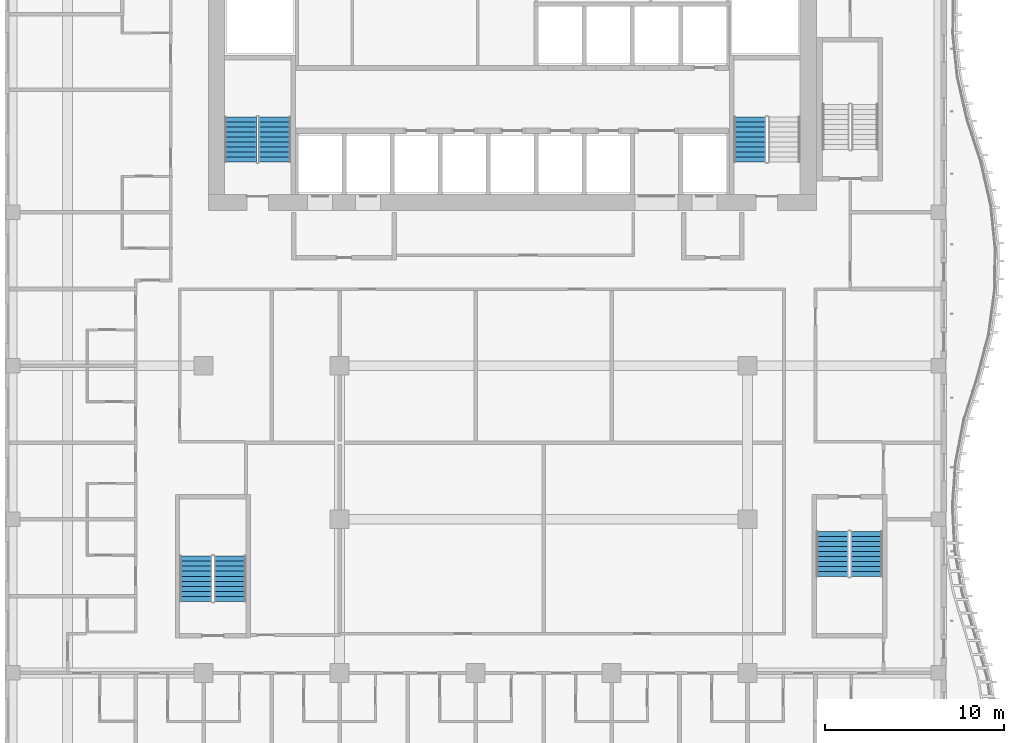
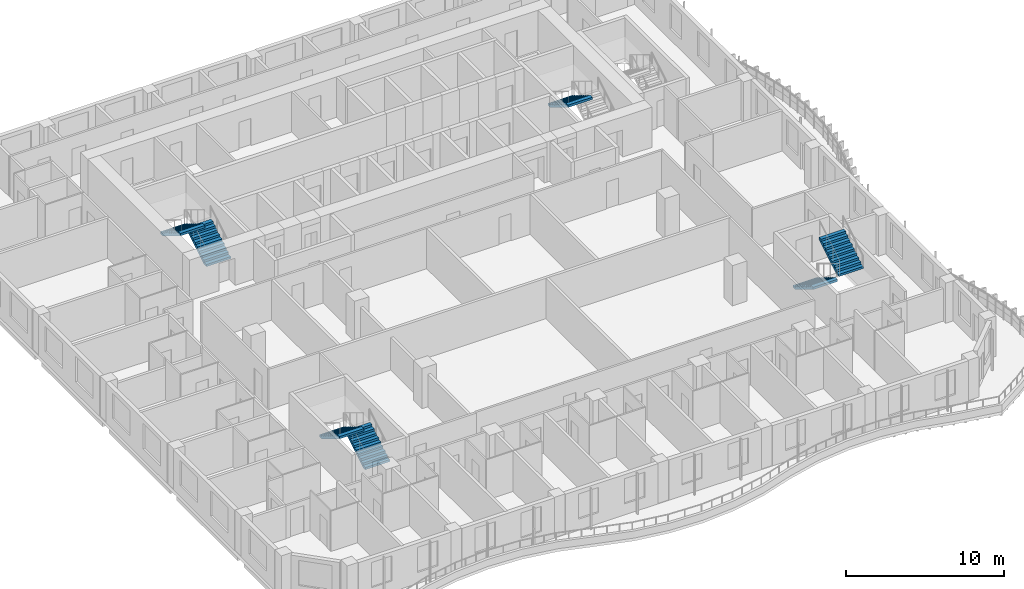
# One storey, part 12 of 24: 7 stair flights, 4 elements without a shape of their own.
"""IFC4 building model written with IfcOpenShell, lengths in metres."""

from ifc_helpers import new_model, si_unit, direction, frame, origin, place, context, subcontext, project, spatial, triangles, source, transform, mapped, material, type_object, element, aggregate, save


model = new_model("IFC4")

# Units and contexts
model_context = context("Model", 3, precision=1e-05, world=origin(), true_north=direction((0.0, 1.0)))
body_context = subcontext(model_context, "Body", "Model", "MODEL_VIEW")
ifc_project = project(units=[si_unit("LENGTHUNIT", "METRE"), si_unit("AREAUNIT", "SQUARE_METRE"), si_unit("VOLUMEUNIT", "CUBIC_METRE"), si_unit("PLANEANGLEUNIT", "RADIAN"), si_unit("MASSUNIT", "GRAM", prefix="KILO")], contexts=[model_context])

# Site, building, storey
site_placement = place(None, origin())
site = spatial("IfcSite", under=ifc_project, at=site_placement, CompositionType="ELEMENT")
building_placement = place(site_placement, origin())
building = spatial("IfcBuilding", under=site, at=building_placement, Name="Kilnfold Tower and Market Hall", CompositionType="ELEMENT")
storey_placement = place(building_placement, frame((0.0, 0.0, 175.300048828125)))
storey = spatial("IfcBuildingStorey", under=building, at=storey_placement, Name="L41", CompositionType="ELEMENT", Elevation=175.300048828125)

# Stair, stair flights
ifc_material_1 = material(Name="Concrete C40/50", Category="concrete")
stair_type = type_object("IfcStairType", Name="CORE STAIR 1800", PredefinedType="HALF_TURN_STAIR", material=ifc_material_1)
stair_1_placement = place(storey_placement, origin())
stair_1 = element("IfcStair", 1, at=stair_1_placement, inside=storey, type_object=stair_type, Name="L41 ST1", PredefinedType="HALF_TURN_STAIR")
ifc_material_2 = material(Name="Concrete C40/50", Category="concrete")
stair_flight_type = type_object("IfcStairFlightType", Name="CORE STAIR FLIGHT 1800", PredefinedType="STRAIGHT", material=ifc_material_2)
shared_shape = source(origin(), body_context, "Body", "Tessellation", [
    triangles([(0.0, 0.89990234375, 0.0), (0.0, 0.78759765625, 0.0), (0.0, 0.675048828125, 0.0), (0.0, 0.5625, 0.0), (0.0, 0.449951171875, 0.0), (0.0, 0.33740234375, 0.0), (0.0, 0.22509765625, 0.0), (0.0, 0.112548828125, 0.0), (0.0, 0.0, 0.0), (0.0, -0.112548828125, 0.0), (0.0, -0.22509765625, 0.0), (0.0, -0.33740234375, 0.0), (0.0, -0.449951171875, 0.0), (0.0, -0.5625, 0.0), (0.0, -0.675048828125, 0.0), (0.0, -0.78759765625, 0.0), (0.0, -0.89990234375, 0.0), (0.0, 0.89990234375, 0.169921875), (0.0, 0.78759765625, 0.169921875), (0.0, 0.675048828125, 0.169921875), (0.0, 0.5625, 0.169921875), (0.0, 0.449951171875, 0.169921875), (0.0, 0.33740234375, 0.169921875), (0.0, 0.22509765625, 0.169921875), (0.0, 0.112548828125, 0.169921875), (0.0, 0.0, 0.169921875), (0.0, -0.112548828125, 0.169921875), (0.0, -0.22509765625, 0.169921875), (0.0, -0.33740234375, 0.169921875), (0.0, -0.449951171875, 0.169921875), (0.0, -0.5625, 0.169921875), (0.0, -0.675048828125, 0.169921875), (0.0, -0.78759765625, 0.169921875), (0.0, -0.89990234375, 0.169921875), (0.280029296875, 0.89990234375, 0.169921875), (0.280029296875, 0.78759765625, 0.169921875), (0.280029296875, 0.675048828125, 0.169921875), (0.280029296875, 0.5625, 0.169921875), (0.280029296875, 0.449951171875, 0.169921875), (0.280029296875, 0.33740234375, 0.169921875), (0.280029296875, 0.22509765625, 0.169921875), (0.280029296875, 0.112548828125, 0.169921875), (0.280029296875, 0.0, 0.169921875), (0.280029296875, -0.112548828125, 0.169921875), (0.280029296875, -0.22509765625, 0.169921875), (0.280029296875, -0.33740234375, 0.169921875), (0.280029296875, -0.449951171875, 0.169921875), (0.280029296875, -0.5625, 0.169921875), (0.280029296875, -0.675048828125, 0.169921875), (0.280029296875, -0.78759765625, 0.169921875), (0.280029296875, -0.89990234375, 0.169921875), (0.280029296875, 0.89990234375, 0.340087890625), (0.280029296875, 0.78759765625, 0.340087890625), (0.280029296875, 0.675048828125, 0.340087890625), (0.280029296875, 0.5625, 0.340087890625), (0.280029296875, 0.449951171875, 0.340087890625), (0.280029296875, 0.33740234375, 0.340087890625), (0.280029296875, 0.22509765625, 0.340087890625), (0.280029296875, 0.112548828125, 0.340087890625), (0.280029296875, 0.0, 0.340087890625), (0.280029296875, -0.112548828125, 0.340087890625), (0.280029296875, -0.22509765625, 0.340087890625), (0.280029296875, -0.33740234375, 0.340087890625), (0.280029296875, -0.449951171875, 0.340087890625), (0.280029296875, -0.5625, 0.340087890625), (0.280029296875, -0.675048828125, 0.340087890625), (0.280029296875, -0.78759765625, 0.340087890625), (0.280029296875, -0.89990234375, 0.340087890625), (0.56005859375, 0.89990234375, 0.340087890625), (0.56005859375, 0.78759765625, 0.340087890625), (0.56005859375, 0.675048828125, 0.340087890625), (0.56005859375, 0.5625, 0.340087890625), (0.56005859375, 0.449951171875, 0.340087890625), (0.56005859375, 0.33740234375, 0.340087890625), (0.56005859375, 0.22509765625, 0.340087890625), (0.56005859375, 0.112548828125, 0.340087890625), (0.56005859375, 0.0, 0.340087890625), (0.56005859375, -0.112548828125, 0.340087890625), (0.56005859375, -0.22509765625, 0.340087890625), (0.56005859375, -0.33740234375, 0.340087890625), (0.56005859375, -0.449951171875, 0.340087890625), (0.56005859375, -0.5625, 0.340087890625), (0.56005859375, -0.675048828125, 0.340087890625), (0.56005859375, -0.78759765625, 0.340087890625), (0.56005859375, -0.89990234375, 0.340087890625), (0.56005859375, 0.89990234375, 0.510009765625), (0.56005859375, 0.78759765625, 0.510009765625), (0.56005859375, 0.675048828125, 0.510009765625), (0.56005859375, 0.5625, 0.510009765625), (0.56005859375, 0.449951171875, 0.510009765625), (0.56005859375, 0.33740234375, 0.510009765625), (0.56005859375, 0.22509765625, 0.510009765625), (0.56005859375, 0.112548828125, 0.510009765625), (0.56005859375, 0.0, 0.510009765625), (0.56005859375, -0.112548828125, 0.510009765625), (0.56005859375, -0.22509765625, 0.510009765625), (0.56005859375, -0.33740234375, 0.510009765625), (0.56005859375, -0.449951171875, 0.510009765625), (0.56005859375, -0.5625, 0.510009765625), (0.56005859375, -0.675048828125, 0.510009765625), (0.56005859375, -0.78759765625, 0.510009765625), (0.56005859375, -0.89990234375, 0.510009765625), (0.840087890625, 0.89990234375, 0.510009765625), (0.840087890625, 0.78759765625, 0.510009765625), (0.840087890625, 0.675048828125, 0.510009765625), (0.840087890625, 0.5625, 0.510009765625), (0.840087890625, 0.449951171875, 0.510009765625), (0.840087890625, 0.33740234375, 0.510009765625), (0.840087890625, 0.22509765625, 0.510009765625), (0.840087890625, 0.112548828125, 0.510009765625), (0.840087890625, 0.0, 0.510009765625), (0.840087890625, -0.112548828125, 0.510009765625), (0.840087890625, -0.22509765625, 0.510009765625), (0.840087890625, -0.33740234375, 0.510009765625), (0.840087890625, -0.449951171875, 0.510009765625), (0.840087890625, -0.5625, 0.510009765625), (0.840087890625, -0.675048828125, 0.510009765625), (0.840087890625, -0.78759765625, 0.510009765625), (0.840087890625, -0.89990234375, 0.510009765625), (0.840087890625, 0.89990234375, 0.679931640625), (0.840087890625, 0.78759765625, 0.679931640625), (0.840087890625, 0.675048828125, 0.679931640625), (0.840087890625, 0.5625, 0.679931640625), (0.840087890625, 0.449951171875, 0.679931640625), (0.840087890625, 0.33740234375, 0.679931640625), (0.840087890625, 0.22509765625, 0.679931640625), (0.840087890625, 0.112548828125, 0.679931640625), (0.840087890625, 0.0, 0.679931640625), (0.840087890625, -0.112548828125, 0.679931640625), (0.840087890625, -0.22509765625, 0.679931640625), (0.840087890625, -0.33740234375, 0.679931640625), (0.840087890625, -0.449951171875, 0.679931640625), (0.840087890625, -0.5625, 0.679931640625), (0.840087890625, -0.675048828125, 0.679931640625), (0.840087890625, -0.78759765625, 0.679931640625), (0.840087890625, -0.89990234375, 0.679931640625), (1.1201171875, 0.89990234375, 0.679931640625), (1.1201171875, 0.78759765625, 0.679931640625), (1.1201171875, 0.675048828125, 0.679931640625), (1.1201171875, 0.5625, 0.679931640625), (1.1201171875, 0.449951171875, 0.679931640625), (1.1201171875, 0.33740234375, 0.679931640625), (1.1201171875, 0.22509765625, 0.679931640625), (1.1201171875, 0.112548828125, 0.679931640625), (1.1201171875, 0.0, 0.679931640625), (1.1201171875, -0.112548828125, 0.679931640625), (1.1201171875, -0.22509765625, 0.679931640625), (1.1201171875, -0.33740234375, 0.679931640625), (1.1201171875, -0.449951171875, 0.679931640625), (1.1201171875, -0.5625, 0.679931640625), (1.1201171875, -0.675048828125, 0.679931640625), (1.1201171875, -0.78759765625, 0.679931640625), (1.1201171875, -0.89990234375, 0.679931640625), (1.1201171875, 0.89990234375, 0.85009765625), (1.1201171875, 0.78759765625, 0.85009765625), (1.1201171875, 0.675048828125, 0.85009765625), (1.1201171875, 0.5625, 0.85009765625), (1.1201171875, 0.449951171875, 0.85009765625), (1.1201171875, 0.33740234375, 0.85009765625), (1.1201171875, 0.22509765625, 0.85009765625), (1.1201171875, 0.112548828125, 0.85009765625), (1.1201171875, 0.0, 0.85009765625), (1.1201171875, -0.112548828125, 0.85009765625), (1.1201171875, -0.22509765625, 0.85009765625), (1.1201171875, -0.33740234375, 0.85009765625), (1.1201171875, -0.449951171875, 0.85009765625), (1.1201171875, -0.5625, 0.85009765625), (1.1201171875, -0.675048828125, 0.85009765625), (1.1201171875, -0.78759765625, 0.85009765625), (1.1201171875, -0.89990234375, 0.85009765625), (1.39990234375, 0.89990234375, 0.85009765625), (1.39990234375, 0.78759765625, 0.85009765625), (1.39990234375, 0.675048828125, 0.85009765625), (1.39990234375, 0.5625, 0.85009765625), (1.39990234375, 0.449951171875, 0.85009765625), (1.39990234375, 0.33740234375, 0.85009765625), (1.39990234375, 0.22509765625, 0.85009765625), (1.39990234375, 0.112548828125, 0.85009765625), (1.39990234375, 0.0, 0.85009765625), (1.39990234375, -0.112548828125, 0.85009765625), (1.39990234375, -0.22509765625, 0.85009765625), (1.39990234375, -0.33740234375, 0.85009765625), (1.39990234375, -0.449951171875, 0.85009765625), (1.39990234375, -0.5625, 0.85009765625), (1.39990234375, -0.675048828125, 0.85009765625), (1.39990234375, -0.78759765625, 0.85009765625), (1.39990234375, -0.89990234375, 0.85009765625), (1.39990234375, 0.89990234375, 1.02001953125), (1.39990234375, 0.78759765625, 1.02001953125), (1.39990234375, 0.675048828125, 1.02001953125), (1.39990234375, 0.5625, 1.02001953125), (1.39990234375, 0.449951171875, 1.02001953125), (1.39990234375, 0.33740234375, 1.02001953125), (1.39990234375, 0.22509765625, 1.02001953125), (1.39990234375, 0.112548828125, 1.02001953125), (1.39990234375, 0.0, 1.02001953125), (1.39990234375, -0.112548828125, 1.02001953125), (1.39990234375, -0.22509765625, 1.02001953125), (1.39990234375, -0.33740234375, 1.02001953125), (1.39990234375, -0.449951171875, 1.02001953125), (1.39990234375, -0.5625, 1.02001953125), (1.39990234375, -0.675048828125, 1.02001953125), (1.39990234375, -0.78759765625, 1.02001953125), (1.39990234375, -0.89990234375, 1.02001953125), (1.679931640625, 0.89990234375, 1.02001953125), (1.679931640625, 0.78759765625, 1.02001953125), (1.679931640625, 0.675048828125, 1.02001953125), (1.679931640625, 0.5625, 1.02001953125), (1.679931640625, 0.449951171875, 1.02001953125), (1.679931640625, 0.33740234375, 1.02001953125), (1.679931640625, 0.22509765625, 1.02001953125), (1.679931640625, 0.112548828125, 1.02001953125), (1.679931640625, 0.0, 1.02001953125), (1.679931640625, -0.112548828125, 1.02001953125), (1.679931640625, -0.22509765625, 1.02001953125), (1.679931640625, -0.33740234375, 1.02001953125), (1.679931640625, -0.449951171875, 1.02001953125), (1.679931640625, -0.5625, 1.02001953125), (1.679931640625, -0.675048828125, 1.02001953125), (1.679931640625, -0.78759765625, 1.02001953125), (1.679931640625, -0.89990234375, 1.02001953125), (1.679931640625, 0.89990234375, 1.18994140625), (1.679931640625, 0.78759765625, 1.18994140625), (1.679931640625, 0.675048828125, 1.18994140625), (1.679931640625, 0.5625, 1.18994140625), (1.679931640625, 0.449951171875, 1.18994140625), (1.679931640625, 0.33740234375, 1.18994140625), (1.679931640625, 0.22509765625, 1.18994140625), (1.679931640625, 0.112548828125, 1.18994140625), (1.679931640625, 0.0, 1.18994140625), (1.679931640625, -0.112548828125, 1.18994140625), (1.679931640625, -0.22509765625, 1.18994140625), (1.679931640625, -0.33740234375, 1.18994140625), (1.679931640625, -0.449951171875, 1.18994140625), (1.679931640625, -0.5625, 1.18994140625), (1.679931640625, -0.675048828125, 1.18994140625), (1.679931640625, -0.78759765625, 1.18994140625), (1.679931640625, -0.89990234375, 1.18994140625), (1.9599609375, 0.89990234375, 1.18994140625), (1.9599609375, 0.78759765625, 1.18994140625), (1.9599609375, 0.675048828125, 1.18994140625), (1.9599609375, 0.5625, 1.18994140625), (1.9599609375, 0.449951171875, 1.18994140625), (1.9599609375, 0.33740234375, 1.18994140625), (1.9599609375, 0.22509765625, 1.18994140625), (1.9599609375, 0.112548828125, 1.18994140625), (1.9599609375, 0.0, 1.18994140625), (1.9599609375, -0.112548828125, 1.18994140625), (1.9599609375, -0.22509765625, 1.18994140625), (1.9599609375, -0.33740234375, 1.18994140625), (1.9599609375, -0.449951171875, 1.18994140625), (1.9599609375, -0.5625, 1.18994140625), (1.9599609375, -0.675048828125, 1.18994140625), (1.9599609375, -0.78759765625, 1.18994140625), (1.9599609375, -0.89990234375, 1.18994140625), (1.9599609375, 0.89990234375, 1.360107421875), (1.9599609375, 0.78759765625, 1.360107421875), (1.9599609375, 0.675048828125, 1.360107421875), (1.9599609375, 0.5625, 1.360107421875), (1.9599609375, 0.449951171875, 1.360107421875), (1.9599609375, 0.33740234375, 1.360107421875), (1.9599609375, 0.22509765625, 1.360107421875), (1.9599609375, 0.112548828125, 1.360107421875), (1.9599609375, 0.0, 1.360107421875), (1.9599609375, -0.112548828125, 1.360107421875), (1.9599609375, -0.22509765625, 1.360107421875), (1.9599609375, -0.33740234375, 1.360107421875), (1.9599609375, -0.449951171875, 1.360107421875), (1.9599609375, -0.5625, 1.360107421875), (1.9599609375, -0.675048828125, 1.360107421875), (1.9599609375, -0.78759765625, 1.360107421875), (1.9599609375, -0.89990234375, 1.360107421875), (2.239990234375, 0.89990234375, 1.360107421875), (2.239990234375, 0.78759765625, 1.360107421875), (2.239990234375, 0.675048828125, 1.360107421875), (2.239990234375, 0.5625, 1.360107421875), (2.239990234375, 0.449951171875, 1.360107421875), (2.239990234375, 0.33740234375, 1.360107421875), (2.239990234375, 0.22509765625, 1.360107421875), (2.239990234375, 0.112548828125, 1.360107421875), (2.239990234375, 0.0, 1.360107421875), (2.239990234375, -0.112548828125, 1.360107421875), (2.239990234375, -0.22509765625, 1.360107421875), (2.239990234375, -0.33740234375, 1.360107421875), (2.239990234375, -0.449951171875, 1.360107421875), (2.239990234375, -0.5625, 1.360107421875), (2.239990234375, -0.675048828125, 1.360107421875), (2.239990234375, -0.78759765625, 1.360107421875), (2.239990234375, -0.89990234375, 1.360107421875), (2.239990234375, 0.89990234375, 1.530029296875), (2.239990234375, 0.78759765625, 1.530029296875), (2.239990234375, 0.675048828125, 1.530029296875), (2.239990234375, 0.5625, 1.530029296875), (2.239990234375, 0.449951171875, 1.530029296875), (2.239990234375, 0.33740234375, 1.530029296875), (2.239990234375, 0.22509765625, 1.530029296875), (2.239990234375, 0.112548828125, 1.530029296875), (2.239990234375, 0.0, 1.530029296875), (2.239990234375, -0.112548828125, 1.530029296875), (2.239990234375, -0.22509765625, 1.530029296875), (2.239990234375, -0.33740234375, 1.530029296875), (2.239990234375, -0.449951171875, 1.530029296875), (2.239990234375, -0.5625, 1.530029296875), (2.239990234375, -0.675048828125, 1.530029296875), (2.239990234375, -0.78759765625, 1.530029296875), (2.239990234375, -0.89990234375, 1.530029296875), (2.52001953125, 0.89990234375, 1.530029296875), (2.52001953125, 0.78759765625, 1.530029296875), (2.52001953125, 0.675048828125, 1.530029296875), (2.52001953125, 0.5625, 1.530029296875), (2.52001953125, 0.449951171875, 1.530029296875), (2.52001953125, 0.33740234375, 1.530029296875), (2.52001953125, 0.22509765625, 1.530029296875), (2.52001953125, 0.112548828125, 1.530029296875), (2.52001953125, 0.0, 1.530029296875), (2.52001953125, -0.112548828125, 1.530029296875), (2.52001953125, -0.22509765625, 1.530029296875), (2.52001953125, -0.33740234375, 1.530029296875), (2.52001953125, -0.449951171875, 1.530029296875), (2.52001953125, -0.5625, 1.530029296875), (2.52001953125, -0.675048828125, 1.530029296875), (2.52001953125, -0.78759765625, 1.530029296875), (2.52001953125, -0.89990234375, 1.530029296875), (2.52001953125, 0.89990234375, 1.354736328125), (2.52001953125, 0.78759765625, 1.354736328125), (2.52001953125, 0.675048828125, 1.354736328125), (2.52001953125, 0.5625, 1.354736328125), (2.52001953125, 0.449951171875, 1.354736328125), (2.52001953125, 0.33740234375, 1.354736328125), (2.52001953125, 0.22509765625, 1.354736328125), (2.52001953125, 0.112548828125, 1.354736328125), (2.52001953125, 0.0, 1.354736328125), (2.52001953125, -0.112548828125, 1.354736328125), (2.52001953125, -0.22509765625, 1.354736328125), (2.52001953125, -0.33740234375, 1.354736328125), (2.52001953125, -0.449951171875, 1.354736328125), (2.52001953125, -0.5625, 1.354736328125), (2.52001953125, -0.675048828125, 1.354736328125), (2.52001953125, -0.78759765625, 1.354736328125), (2.52001953125, -0.89990234375, 1.354736328125), (0.288818359375, 0.89990234375, 0.0), (0.288818359375, 0.78759765625, 0.0), (0.288818359375, 0.675048828125, 0.0), (0.288818359375, 0.5625, 0.0), (0.288818359375, 0.449951171875, 0.0), (0.288818359375, 0.33740234375, 0.0), (0.288818359375, 0.22509765625, 0.0), (0.288818359375, 0.112548828125, 0.0), (0.288818359375, 0.0, 0.0), (0.288818359375, -0.112548828125, 0.0), (0.288818359375, -0.22509765625, 0.0), (0.288818359375, -0.33740234375, 0.0), (0.288818359375, -0.449951171875, 0.0), (0.288818359375, -0.5625, 0.0), (0.288818359375, -0.675048828125, 0.0), (0.288818359375, -0.78759765625, 0.0), (0.288818359375, -0.89990234375, 0.0)], [[1, 324, 341], [17, 357, 340], [324, 290, 307], [340, 323, 306], [324, 273, 290], [340, 306, 289], [324, 256, 273], [340, 289, 272], [324, 239, 256], [340, 272, 255], [239, 205, 222], [255, 238, 221], [324, 205, 239], [340, 255, 221], [205, 171, 188], [221, 204, 187], [324, 171, 205], [340, 221, 187], [171, 137, 154], [187, 170, 153], [324, 137, 171], [340, 187, 153], [137, 103, 120], [153, 136, 119], [324, 103, 137], [340, 153, 119], [103, 69, 86], [119, 102, 85], [324, 69, 103], [340, 119, 85], [69, 35, 52], [85, 68, 51], [324, 35, 69], [340, 85, 51], [1, 35, 324], [17, 340, 51], [35, 1, 18], [51, 34, 17], [1, 19, 18], [1, 2, 19], [2, 20, 19], [2, 3, 20], [3, 21, 20], [3, 4, 21], [4, 22, 21], [4, 5, 22], [5, 23, 22], [5, 6, 23], [6, 24, 23], [6, 7, 24], [7, 25, 24], [7, 8, 25], [8, 26, 25], [8, 9, 26], [9, 27, 26], [9, 10, 27], [10, 28, 27], [10, 11, 28], [11, 29, 28], [11, 12, 29], [12, 30, 29], [12, 13, 30], [13, 31, 30], [13, 14, 31], [14, 32, 31], [14, 15, 32], [15, 33, 32], [15, 16, 33], [16, 34, 33], [16, 17, 34], [18, 36, 35], [18, 19, 36], [19, 37, 36], [19, 20, 37], [20, 38, 37], [20, 21, 38], [21, 39, 38], [21, 22, 39], [22, 40, 39], [22, 23, 40], [23, 41, 40], [23, 24, 41], [24, 42, 41], [24, 25, 42], [25, 43, 42], [25, 26, 43], [26, 44, 43], [26, 27, 44], [27, 45, 44], [27, 28, 45], [28, 46, 45], [28, 29, 46], [29, 47, 46], [29, 30, 47], [30, 48, 47], [30, 31, 48], [31, 49, 48], [31, 32, 49], [32, 50, 49], [32, 33, 50], [33, 51, 50], [33, 34, 51], [35, 53, 52], [35, 36, 53], [36, 54, 53], [36, 37, 54], [37, 55, 54], [37, 38, 55], [38, 56, 55], [38, 39, 56], [39, 57, 56], [39, 40, 57], [40, 58, 57], [40, 41, 58], [41, 59, 58], [41, 42, 59], [42, 60, 59], [42, 43, 60], [43, 61, 60], [43, 44, 61], [44, 62, 61], [44, 45, 62], [45, 63, 62], [45, 46, 63], [46, 64, 63], [46, 47, 64], [47, 65, 64], [47, 48, 65], [48, 66, 65], [48, 49, 66], [49, 67, 66], [49, 50, 67], [50, 68, 67], [50, 51, 68], [52, 70, 69], [52, 53, 70], [53, 71, 70], [53, 54, 71], [54, 72, 71], [54, 55, 72], [55, 73, 72], [55, 56, 73], [56, 74, 73], [56, 57, 74], [57, 75, 74], [57, 58, 75], [58, 76, 75], [58, 59, 76], [59, 77, 76], [59, 60, 77], [60, 78, 77], [60, 61, 78], [61, 79, 78], [61, 62, 79], [62, 80, 79], [62, 63, 80], [63, 81, 80], [63, 64, 81], [64, 82, 81], [64, 65, 82], [65, 83, 82], [65, 66, 83], [66, 84, 83], [66, 67, 84], [67, 85, 84], [67, 68, 85], [69, 87, 86], [69, 70, 87], [70, 88, 87], [70, 71, 88], [71, 89, 88], [71, 72, 89], [72, 90, 89], [72, 73, 90], [73, 91, 90], [73, 74, 91], [74, 92, 91], [74, 75, 92], [75, 93, 92], [75, 76, 93], [76, 94, 93], [76, 77, 94], [77, 95, 94], [77, 78, 95], [78, 96, 95], [78, 79, 96], [79, 97, 96], [79, 80, 97], [80, 98, 97], [80, 81, 98], [81, 99, 98], [81, 82, 99], [82, 100, 99], [82, 83, 100], [83, 101, 100], [83, 84, 101], [84, 102, 101], [84, 85, 102], [86, 104, 103], [86, 87, 104], [87, 105, 104], [87, 88, 105], [88, 106, 105], [88, 89, 106], [89, 107, 106], [89, 90, 107], [90, 108, 107], [90, 91, 108], [91, 109, 108], [91, 92, 109], [92, 110, 109], [92, 93, 110], [93, 111, 110], [93, 94, 111], [94, 112, 111], [94, 95, 112], [95, 113, 112], [95, 96, 113], [96, 114, 113], [96, 97, 114], [97, 115, 114], [97, 98, 115], [98, 116, 115], [98, 99, 116], [99, 117, 116], [99, 100, 117], [100, 118, 117], [100, 101, 118], [101, 119, 118], [101, 102, 119], [103, 121, 120], [103, 104, 121], [104, 122, 121], [104, 105, 122], [105, 123, 122], [105, 106, 123], [106, 124, 123], [106, 107, 124], [107, 125, 124], [107, 108, 125], [108, 126, 125], [108, 109, 126], [109, 127, 126], [109, 110, 127], [110, 128, 127], [110, 111, 128], [111, 129, 128], [111, 112, 129], [112, 130, 129], [112, 113, 130], [113, 131, 130], [113, 114, 131], [114, 132, 131], [114, 115, 132], [115, 133, 132], [115, 116, 133], [116, 134, 133], [116, 117, 134], [117, 135, 134], [117, 118, 135], [118, 136, 135], [118, 119, 136], [120, 138, 137], [120, 121, 138], [121, 139, 138], [121, 122, 139], [122, 140, 139], [122, 123, 140], [123, 141, 140], [123, 124, 141], [124, 142, 141], [124, 125, 142], [125, 143, 142], [125, 126, 143], [126, 144, 143], [126, 127, 144], [127, 145, 144], [127, 128, 145], [128, 146, 145], [128, 129, 146], [129, 147, 146], [129, 130, 147], [130, 148, 147], [130, 131, 148], [131, 149, 148], [131, 132, 149], [132, 150, 149], [132, 133, 150], [133, 151, 150], [133, 134, 151], [134, 152, 151], [134, 135, 152], [135, 153, 152], [135, 136, 153], [137, 155, 154], [137, 138, 155], [138, 156, 155], [138, 139, 156], [139, 157, 156], [139, 140, 157], [140, 158, 157], [140, 141, 158], [141, 159, 158], [141, 142, 159], [142, 160, 159], [142, 143, 160], [143, 161, 160], [143, 144, 161], [144, 162, 161], [144, 145, 162], [145, 163, 162], [145, 146, 163], [146, 164, 163], [146, 147, 164], [147, 165, 164], [147, 148, 165], [148, 166, 165], [148, 149, 166], [149, 167, 166], [149, 150, 167], [150, 168, 167], [150, 151, 168], [151, 169, 168], [151, 152, 169], [152, 170, 169], [152, 153, 170], [154, 172, 171], [154, 155, 172], [155, 173, 172], [155, 156, 173], [156, 174, 173], [156, 157, 174], [157, 175, 174], [157, 158, 175], [158, 176, 175], [158, 159, 176], [159, 177, 176], [159, 160, 177], [160, 178, 177], [160, 161, 178], [161, 179, 178], [161, 162, 179], [162, 180, 179], [162, 163, 180], [163, 181, 180], [163, 164, 181], [164, 182, 181], [164, 165, 182], [165, 183, 182], [165, 166, 183], [166, 184, 183], [166, 167, 184], [167, 185, 184], [167, 168, 185], [168, 186, 185], [168, 169, 186], [169, 187, 186], [169, 170, 187], [171, 189, 188], [171, 172, 189], [172, 190, 189], [172, 173, 190], [173, 191, 190], [173, 174, 191], [174, 192, 191], [174, 175, 192], [175, 193, 192], [175, 176, 193], [176, 194, 193], [176, 177, 194], [177, 195, 194], [177, 178, 195], [178, 196, 195], [178, 179, 196], [179, 197, 196], [179, 180, 197], [180, 198, 197], [180, 181, 198], [181, 199, 198], [181, 182, 199], [182, 200, 199], [182, 183, 200], [183, 201, 200], [183, 184, 201], [184, 202, 201], [184, 185, 202], [185, 203, 202], [185, 186, 203], [186, 204, 203], [186, 187, 204], [188, 206, 205], [188, 189, 206], [189, 207, 206], [189, 190, 207], [190, 208, 207], [190, 191, 208], [191, 209, 208], [191, 192, 209], [192, 210, 209], [192, 193, 210], [193, 211, 210], [193, 194, 211], [194, 212, 211], [194, 195, 212], [195, 213, 212], [195, 196, 213], [196, 214, 213], [196, 197, 214], [197, 215, 214], [197, 198, 215], [198, 216, 215], [198, 199, 216], [199, 217, 216], [199, 200, 217], [200, 218, 217], [200, 201, 218], [201, 219, 218], [201, 202, 219], [202, 220, 219], [202, 203, 220], [203, 221, 220], [203, 204, 221], [205, 223, 222], [205, 206, 223], [206, 224, 223], [206, 207, 224], [207, 225, 224], [207, 208, 225], [208, 226, 225], [208, 209, 226], [209, 227, 226], [209, 210, 227], [210, 228, 227], [210, 211, 228], [211, 229, 228], [211, 212, 229], [212, 230, 229], [212, 213, 230], [213, 231, 230], [213, 214, 231], [214, 232, 231], [214, 215, 232], [215, 233, 232], [215, 216, 233], [216, 234, 233], [216, 217, 234], [217, 235, 234], [217, 218, 235], [218, 236, 235], [218, 219, 236], [219, 237, 236], [219, 220, 237], [220, 238, 237], [220, 221, 238], [222, 240, 239], [222, 223, 240], [223, 241, 240], [223, 224, 241], [224, 242, 241], [224, 225, 242], [225, 243, 242], [225, 226, 243], [226, 244, 243], [226, 227, 244], [227, 245, 244], [227, 228, 245], [228, 246, 245], [228, 229, 246], [229, 247, 246], [229, 230, 247], [230, 248, 247], [230, 231, 248], [231, 249, 248], [231, 232, 249], [232, 250, 249], [232, 233, 250], [233, 251, 250], [233, 234, 251], [234, 252, 251], [234, 235, 252], [235, 253, 252], [235, 236, 253], [236, 254, 253], [236, 237, 254], [237, 255, 254], [237, 238, 255], [239, 257, 256], [239, 240, 257], [240, 258, 257], [240, 241, 258], [241, 259, 258], [241, 242, 259], [242, 260, 259], [242, 243, 260], [243, 261, 260], [243, 244, 261], [244, 262, 261], [244, 245, 262], [245, 263, 262], [245, 246, 263], [246, 264, 263], [246, 247, 264], [247, 265, 264], [247, 248, 265], [248, 266, 265], [248, 249, 266], [249, 267, 266], [249, 250, 267], [250, 268, 267], [250, 251, 268], [251, 269, 268], [251, 252, 269], [252, 270, 269], [252, 253, 270], [253, 271, 270], [253, 254, 271], [254, 272, 271], [254, 255, 272], [256, 274, 273], [256, 257, 274], [257, 275, 274], [257, 258, 275], [258, 276, 275], [258, 259, 276], [259, 277, 276], [259, 260, 277], [260, 278, 277], [260, 261, 278], [261, 279, 278], [261, 262, 279], [262, 280, 279], [262, 263, 280], [263, 281, 280], [263, 264, 281], [264, 282, 281], [264, 265, 282], [265, 283, 282], [265, 266, 283], [266, 284, 283], [266, 267, 284], [267, 285, 284], [267, 268, 285], [268, 286, 285], [268, 269, 286], [269, 287, 286], [269, 270, 287], [270, 288, 287], [270, 271, 288], [271, 289, 288], [271, 272, 289], [273, 291, 290], [273, 274, 291], [274, 292, 291], [274, 275, 292], [275, 293, 292], [275, 276, 293], [276, 294, 293], [276, 277, 294], [277, 295, 294], [277, 278, 295], [278, 296, 295], [278, 279, 296], [279, 297, 296], [279, 280, 297], [280, 298, 297], [280, 281, 298], [281, 299, 298], [281, 282, 299], [282, 300, 299], [282, 283, 300], [283, 301, 300], [283, 284, 301], [284, 302, 301], [284, 285, 302], [285, 303, 302], [285, 286, 303], [286, 304, 303], [286, 287, 304], [287, 305, 304], [287, 288, 305], [288, 306, 305], [288, 289, 306], [290, 308, 307], [290, 291, 308], [291, 309, 308], [291, 292, 309], [292, 310, 309], [292, 293, 310], [293, 311, 310], [293, 294, 311], [294, 312, 311], [294, 295, 312], [295, 313, 312], [295, 296, 313], [296, 314, 313], [296, 297, 314], [297, 315, 314], [297, 298, 315], [298, 316, 315], [298, 299, 316], [299, 317, 316], [299, 300, 317], [300, 318, 317], [300, 301, 318], [301, 319, 318], [301, 302, 319], [302, 320, 319], [302, 303, 320], [303, 321, 320], [303, 304, 321], [304, 322, 321], [304, 305, 322], [305, 323, 322], [305, 306, 323], [307, 325, 324], [307, 308, 325], [308, 326, 325], [308, 309, 326], [309, 327, 326], [309, 310, 327], [310, 328, 327], [310, 311, 328], [311, 329, 328], [311, 312, 329], [312, 330, 329], [312, 313, 330], [313, 331, 330], [313, 314, 331], [314, 332, 331], [314, 315, 332], [315, 333, 332], [315, 316, 333], [316, 334, 333], [316, 317, 334], [317, 335, 334], [317, 318, 335], [318, 336, 335], [318, 319, 336], [319, 337, 336], [319, 320, 337], [320, 338, 337], [320, 321, 338], [321, 339, 338], [321, 322, 339], [322, 340, 339], [322, 323, 340], [324, 342, 341], [324, 325, 342], [325, 343, 342], [325, 326, 343], [326, 344, 343], [326, 327, 344], [327, 345, 344], [327, 328, 345], [328, 346, 345], [328, 329, 346], [329, 347, 346], [329, 330, 347], [330, 348, 347], [330, 331, 348], [331, 349, 348], [331, 332, 349], [332, 350, 349], [332, 333, 350], [333, 351, 350], [333, 334, 351], [334, 352, 351], [334, 335, 352], [335, 353, 352], [335, 336, 353], [336, 354, 353], [336, 337, 354], [337, 355, 354], [337, 338, 355], [338, 356, 355], [338, 339, 356], [339, 357, 356], [339, 340, 357], [341, 2, 1], [341, 342, 2], [342, 3, 2], [342, 343, 3], [343, 4, 3], [343, 344, 4], [344, 5, 4], [344, 345, 5], [345, 6, 5], [345, 346, 6], [346, 7, 6], [346, 347, 7], [347, 8, 7], [347, 348, 8], [348, 9, 8], [348, 349, 9], [349, 10, 9], [349, 350, 10], [350, 11, 10], [350, 351, 11], [351, 12, 11], [351, 352, 12], [352, 13, 12], [352, 353, 13], [353, 14, 13], [353, 354, 14], [354, 15, 14], [354, 355, 15], [355, 16, 15], [355, 356, 16], [356, 17, 16], [356, 357, 17]], closed=True),
])
stair_flight_1_placement = place(storey_placement, frame((-12.199951171875, 10.800048828125, 0.0), z_axis=(0.0, 0.0, 1.0), x_axis=(0.0, 1.0, 0.0)))
stair_flight_1 = element("IfcStairFlight", 2, at=stair_flight_1_placement, type_object=stair_flight_type, Name="ST1 flight 1", NumberOfRisers=10, NumberOfTreads=9, PredefinedType="STRAIGHT", RiserHeight=0.17, TreadLength=0.28, context=body_context, shape_type="MappedRepresentation", body=[
    mapped(shared_shape, transform((0.0, 0.0, 0.0))),
])
stair_flight_2_placement = place(storey_placement, frame((-14.10009765625, 13.320068359375, 1.699951171875), z_axis=(0.0, 0.0, 1.0), x_axis=(0.0, -1.0, 0.0)))
stair_flight_2 = element("IfcStairFlight", 3, at=stair_flight_2_placement, type_object=stair_flight_type, Name="ST1 flight 2", NumberOfRisers=10, NumberOfTreads=9, PredefinedType="STRAIGHT", RiserHeight=0.17, TreadLength=0.28, context=body_context, shape_type="MappedRepresentation", body=[
    mapped(shared_shape, transform((0.0, 0.0, 0.0))),
])
aggregate(stair_1, [stair_flight_1, stair_flight_2])

# Stair, stair flight
stair_2_placement = place(storey_placement, origin())
stair_2 = element("IfcStair", 4, at=stair_2_placement, inside=storey, type_object=stair_type, Name="L41 ST2", PredefinedType="HALF_TURN_STAIR")
stair_flight_3_placement = place(storey_placement, frame((14.300048828125, 13.320068359375, 1.699951171875), z_axis=(0.0, 0.0, 1.0), x_axis=(0.0, -1.0, 0.0)))
stair_flight_3 = element("IfcStairFlight", 5, at=stair_flight_3_placement, type_object=stair_flight_type, Name="ST2 flight 2", NumberOfRisers=10, NumberOfTreads=9, PredefinedType="STRAIGHT", RiserHeight=0.17, TreadLength=0.28, context=body_context, shape_type="MappedRepresentation", body=[
    mapped(shared_shape, transform((0.0, 0.0, 0.0))),
])
aggregate(stair_2, [stair_flight_3])

# Stair, stair flights
stair_3_placement = place(storey_placement, origin())
stair_3 = element("IfcStair", 6, at=stair_3_placement, inside=storey, type_object=stair_type, Name="L41 ST3", PredefinedType="HALF_TURN_STAIR")
stair_flight_4_placement = place(storey_placement, frame((-14.699951171875, -13.699951171875, 0.0), z_axis=(0.0, 0.0, 1.0), x_axis=(0.0, 1.0, 0.0)))
stair_flight_4 = element("IfcStairFlight", 7, at=stair_flight_4_placement, type_object=stair_flight_type, Name="ST3 flight 1", NumberOfRisers=10, NumberOfTreads=9, PredefinedType="STRAIGHT", RiserHeight=0.17, TreadLength=0.28, context=body_context, shape_type="MappedRepresentation", body=[
    mapped(shared_shape, transform((0.0, 0.0, 0.0))),
])
stair_flight_5_placement = place(storey_placement, frame((-16.60009765625, -11.179931640625, 1.699951171875), z_axis=(0.0, 0.0, 1.0), x_axis=(0.0, -1.0, 0.0)))
stair_flight_5 = element("IfcStairFlight", 8, at=stair_flight_5_placement, type_object=stair_flight_type, Name="ST3 flight 2", NumberOfRisers=10, NumberOfTreads=9, PredefinedType="STRAIGHT", RiserHeight=0.17, TreadLength=0.28, context=body_context, shape_type="MappedRepresentation", body=[
    mapped(shared_shape, transform((0.0, 0.0, 0.0))),
])
aggregate(stair_3, [stair_flight_4, stair_flight_5])

stair_4_placement = place(storey_placement, origin())
stair_4 = element("IfcStair", 9, at=stair_4_placement, inside=storey, type_object=stair_type, Name="L41 ST4", PredefinedType="HALF_TURN_STAIR")
stair_flight_6_placement = place(storey_placement, frame((18.89990234375, -9.800048828125, 0.0), z_axis=(0.0, 0.0, 1.0), x_axis=(0.0, -1.0, 0.0)))
stair_flight_6 = element("IfcStairFlight", 10, at=stair_flight_6_placement, type_object=stair_flight_type, Name="ST4 flight 1", NumberOfRisers=10, NumberOfTreads=9, PredefinedType="STRAIGHT", RiserHeight=0.17, TreadLength=0.28, context=body_context, shape_type="MappedRepresentation", body=[
    mapped(shared_shape, transform((0.0, 0.0, 0.0))),
])
stair_flight_7_placement = place(storey_placement, frame((20.800048828125, -12.320068359375, 1.699951171875), z_axis=(0.0, 0.0, 1.0), x_axis=(0.0, 1.0, 0.0)))
stair_flight_7 = element("IfcStairFlight", 11, at=stair_flight_7_placement, type_object=stair_flight_type, Name="ST4 flight 2", NumberOfRisers=10, NumberOfTreads=9, PredefinedType="STRAIGHT", RiserHeight=0.17, TreadLength=0.28, context=body_context, shape_type="MappedRepresentation", body=[
    mapped(shared_shape, transform((0.0, 0.0, 0.0))),
])
aggregate(stair_4, [stair_flight_6, stair_flight_7])

save(model, "model.ifc")
